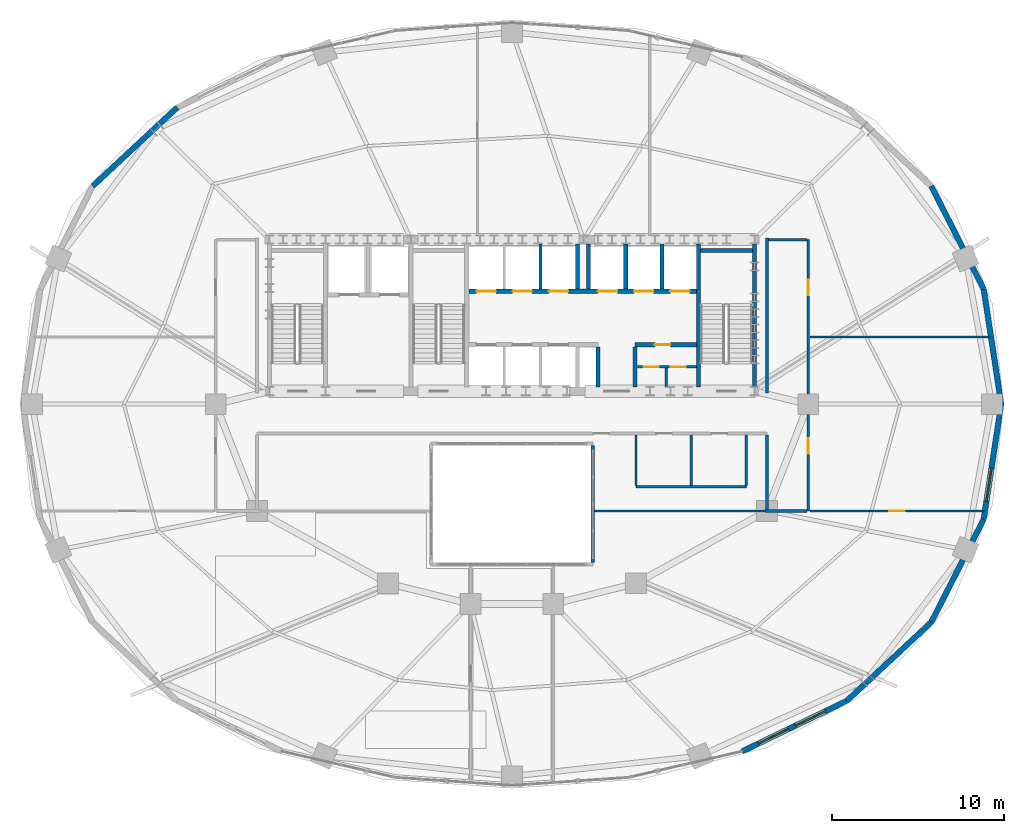
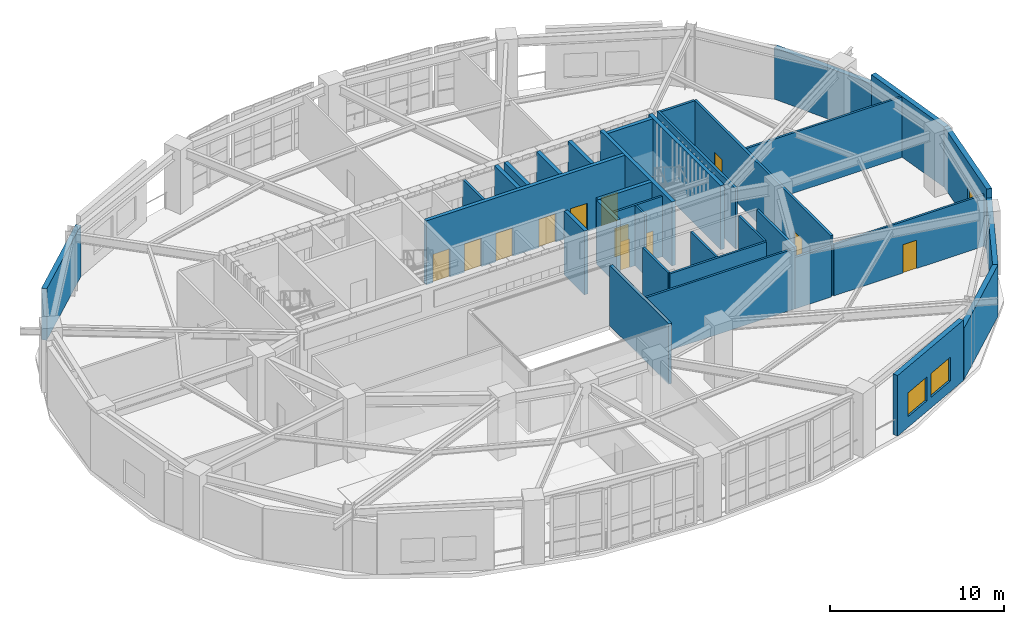
# One storey, part 11 of 15: 34 walls, 12 doors, 3 windows, 15 openings.
"""IFC4 building model written with IfcOpenShell, lengths in metres."""

from ifc_helpers import new_model, si_unit, direction, frame, frame_2d, origin, place, context, subcontext, project, spatial, rectangle, extrude, material, layer, layer_set, type_object, element, fill, save


model = new_model("IFC4")

# Units and contexts
model_context = context("Model", 3, precision=1e-05, world=origin(), true_north=direction((0.0, 1.0)))
body_context = subcontext(model_context, "Body", "Model", "MODEL_VIEW")
ifc_project = project(units=[si_unit("LENGTHUNIT", "METRE"), si_unit("AREAUNIT", "SQUARE_METRE"), si_unit("VOLUMEUNIT", "CUBIC_METRE"), si_unit("PLANEANGLEUNIT", "RADIAN"), si_unit("MASSUNIT", "GRAM", prefix="KILO")], contexts=[model_context])

# Site, building, storey
site_placement = place(None, origin())
site = spatial("IfcSite", under=ifc_project, at=site_placement, CompositionType="ELEMENT")
building_placement = place(site_placement, origin())
building = spatial("IfcBuilding", under=site, at=building_placement, Name="Haldorwick Loom Tower", CompositionType="ELEMENT")
storey_placement = place(building_placement, frame((0.0, 0.0, 105.949951171875)))
storey = spatial("IfcBuildingStorey", under=building, at=storey_placement, Name="L28", CompositionType="ELEMENT", Elevation=105.949951171875)

# Walls
ifc_material_1 = material(Name="Pressed Clay Face Brick and Insulated Masonry Backup Assembly", Category="masonry")
ifc_layer_1 = layer(ifc_material_1, 0.320068359375, Name="Pressed Clay Face Brick and Insulated Masonry Backup Assembly", Category="masonry")
ifc_layer_set_1 = layer_set([ifc_layer_1], Name="Pressed Clay Face Brick and Insulated Masonry Backup Assembly")
wall_type_1 = type_object("IfcWallType", Name="ARC-WL-EXT320", PredefinedType="STANDARD", material=ifc_layer_set_1)
wall_1_placement = place(storey_placement, frame((64.397705078125, 26.0, 0.0), z_axis=(0.0, 0.0, 1.0), x_axis=(-0.150633288003, 0.988589708901, 0.0)))
element("IfcWall", 1, at=wall_1_placement, inside=storey, type_object=wall_type_1, Name="L28 Brick Pier and Spandrel Wall 1", PredefinedType="STANDARD", context=body_context, shape_type="SweptSolid", body=[
    extrude(rectangle(XDim=6.752197265625, YDim=0.320068359375, at=frame_2d((3.3759765625, 0.0))), origin(), (0.0, 0.0, 1.0), 4.260009765625),
])
wall_2_placement = place(storey_placement, frame((63.380615234375, 32.675048828125, 0.0), z_axis=(0.0, 0.0, 1.0), x_axis=(-0.453374078001, 0.89132033826, 0.0)))
element("IfcWall", 2, at=wall_2_placement, inside=storey, type_object=wall_type_1, Name="L28 Brick Pier and Spandrel Wall 2", PredefinedType="STANDARD", context=body_context, shape_type="SweptSolid", body=[
    extrude(rectangle(XDim=6.709716796875, YDim=0.320068359375, at=frame_2d((3.35498046875, 0.0))), origin(), (0.0, 0.0, 1.0), 3.619140625),
])
wall_3_placement = place(storey_placement, frame((16.573486328125, 43.2255859375, 0.0), z_axis=(0.0, 0.0, 1.0), x_axis=(-0.732137360086, -0.681157020052, 0.0)))
element("IfcWall", 3, at=wall_3_placement, inside=storey, type_object=wall_type_1, Name="L28 Brick Pier and Spandrel Wall 10", PredefinedType="STANDARD", context=body_context, shape_type="SweptSolid", body=[
    extrude(rectangle(XDim=6.709228515625, YDim=0.320068359375, at=frame_2d((3.3544921875, 0.0))), origin(), (0.0, 0.0, 1.0), 3.619140625),
])

# Wall, openings, windows
wall_4_placement = place(storey_placement, frame((49.352783203125, 5.841552734375, 0.0), z_axis=(0.0, 0.0, 1.0), x_axis=(0.900510094661, 0.434835106004, 0.0)))
wall_4 = element("IfcWall", 4, at=wall_4_placement, inside=storey, type_object=wall_type_1, Name="L28 Brick Pier and Spandrel Wall 21", PredefinedType="STANDARD", context=body_context, shape_type="SweptSolid", body=[
    extrude(rectangle(XDim=6.744873046875, YDim=0.320068359375, at=frame_2d((3.37255859375, 0.0))), origin(), (0.0, 0.0, 1.0), 4.260009765625),
])
opening_1_placement = place(wall_4_placement, frame((1.04833984375, 0.0, 0.75)))
opening_1 = element("IfcOpeningElement", 5, at=opening_1_placement, cuts=wall_4, Name="Opening W-04B", PredefinedType="OPENING", context=body_context, shape_type="SweptSolid", body=[
    extrude(rectangle(XDim=1.949951171875, YDim=1.679931640625, at=frame_2d((0.97509765625, 0.83984375))), frame((0.0, 0.169921875, 0.0), z_axis=(0.0, -1.0, 0.0), x_axis=(1.0, 0.0, 0.0)), (0.0, 0.0, 1.0), 0.340087890625),
])
opening_2_placement = place(wall_4_placement, frame((3.44091796875, 0.0, 0.75)))
opening_2 = element("IfcOpeningElement", 6, at=opening_2_placement, cuts=wall_4, Name="Opening W-04B", PredefinedType="OPENING", context=body_context, shape_type="SweptSolid", body=[
    extrude(rectangle(XDim=1.949951171875, YDim=1.679931640625, at=frame_2d((0.97509765625, 0.83984375))), frame((0.0, 0.169921875, 0.0), z_axis=(0.0, -1.0, 0.0), x_axis=(1.0, 0.0, 0.0)), (0.0, 0.0, 1.0), 0.340087890625),
])
ifc_material_2 = material(Name="Triple-Glazed Low-E Argon Insulated Glazing Unit", Category="glass")
window_type = type_object("IfcWindowType", Name="ARC-WIN-W195", PartitioningType="SINGLE_PANEL", PredefinedType="WINDOW", material=ifc_material_2)
window_1_placement = place(opening_1_placement, origin())
window_1 = element("IfcWindow", 7, at=window_1_placement, inside=storey, type_object=window_type, Name="L28 Deep-Set Zone 7A Window 21", OverallHeight=1.679931640625, OverallWidth=1.949951171875, PartitioningType="SINGLE_PANEL", PredefinedType="WINDOW", context=body_context, shape_type="SweptSolid", body=[
    extrude(rectangle(XDim=1.949951171875, YDim=1.679931640625, at=frame_2d((0.97509765625, 0.83984375))), frame((0.0, 0.030029296875, 0.0), z_axis=(0.0, -1.0, 0.0), x_axis=(1.0, 0.0, 0.0)), (0.0, 0.0, 1.0), 0.06005859375),
])
fill(opening_1, window_1)
window_2_placement = place(opening_2_placement, origin())
window_2 = element("IfcWindow", 8, at=window_2_placement, inside=storey, type_object=window_type, Name="L28 Deep-Set Zone 7A Window 21", OverallHeight=1.679931640625, OverallWidth=1.949951171875, PartitioningType="SINGLE_PANEL", PredefinedType="WINDOW", context=body_context, shape_type="SweptSolid", body=[
    extrude(rectangle(XDim=1.949951171875, YDim=1.679931640625, at=frame_2d((0.97509765625, 0.83984375))), frame((0.0, 0.030029296875, 0.0), z_axis=(0.0, -1.0, 0.0), x_axis=(1.0, 0.0, 0.0)), (0.0, 0.0, 1.0), 0.06005859375),
])
fill(opening_2, window_2)

# Walls
wall_5_placement = place(storey_placement, frame((55.426513671875, 8.7744140625, 0.0), z_axis=(0.0, 0.0, 1.0), x_axis=(0.732137360086, 0.681157020052, 0.0)))
element("IfcWall", 9, at=wall_5_placement, inside=storey, type_object=wall_type_1, Name="L28 Brick Pier and Spandrel Wall 22", PredefinedType="STANDARD", context=body_context, shape_type="SweptSolid", body=[
    extrude(rectangle(XDim=6.709228515625, YDim=0.320068359375, at=frame_2d((3.3544921875, 0.0))), origin(), (0.0, 0.0, 1.0), 3.619140625),
])
wall_6_placement = place(storey_placement, frame((60.338623046875, 13.344482421875, 0.0), z_axis=(0.0, 0.0, 1.0), x_axis=(0.453374078001, 0.89132033826, 0.0)))
element("IfcWall", 10, at=wall_6_placement, inside=storey, type_object=wall_type_1, Name="L28 Brick Pier and Spandrel Wall 23", PredefinedType="STANDARD", context=body_context, shape_type="SweptSolid", body=[
    extrude(rectangle(XDim=6.709716796875, YDim=0.320068359375, at=frame_2d((3.35498046875, 0.0))), origin(), (0.0, 0.0, 1.0), 3.619140625),
])

# Wall, opening, window
wall_7_placement = place(storey_placement, frame((63.380615234375, 19.324951171875, 0.0), z_axis=(0.0, 0.0, 1.0), x_axis=(0.150633288003, 0.988589708901, 0.0)))
wall_7 = element("IfcWall", 11, at=wall_7_placement, inside=storey, type_object=wall_type_1, Name="L28 Brick Pier and Spandrel Wall 24", PredefinedType="STANDARD", context=body_context, shape_type="SweptSolid", body=[
    extrude(rectangle(XDim=6.752197265625, YDim=0.320068359375, at=frame_2d((3.3759765625, 0.0))), origin(), (0.0, 0.0, 1.0), 4.260009765625),
])
opening_3_placement = place(wall_7_placement, frame((1.050537109375, 0.0, 0.75)))
opening_3 = element("IfcOpeningElement", 12, at=opening_3_placement, cuts=wall_7, Name="Opening W-04B", PredefinedType="OPENING", context=body_context, shape_type="SweptSolid", body=[
    extrude(rectangle(XDim=1.949951171875, YDim=1.679931640625, at=frame_2d((0.97509765625, 0.83984375))), frame((0.0, 0.169921875, 0.0), z_axis=(0.0, -1.0, 0.0), x_axis=(1.0, 0.0, 0.0)), (0.0, 0.0, 1.0), 0.340087890625),
])
window_3_placement = place(opening_3_placement, origin())
window_3 = element("IfcWindow", 13, at=window_3_placement, inside=storey, type_object=window_type, Name="L28 Deep-Set Zone 7A Window 24", OverallHeight=1.679931640625, OverallWidth=1.949951171875, PartitioningType="SINGLE_PANEL", PredefinedType="WINDOW", context=body_context, shape_type="SweptSolid", body=[
    extrude(rectangle(XDim=1.949951171875, YDim=1.679931640625, at=frame_2d((0.97509765625, 0.83984375))), frame((0.0, 0.030029296875, 0.0), z_axis=(0.0, -1.0, 0.0), x_axis=(1.0, 0.0, 0.0)), (0.0, 0.0, 1.0), 0.06005859375),
])
fill(opening_3, window_3)

# Wall, openings, doors
ifc_material_3 = material(Name="Fire-Rated Type X Gypsum Stud Assembly EI 60")
ifc_layer_2 = layer(ifc_material_3, 0.159912109375, Name="Fire-Rated Type X Gypsum Stud Assembly EI 60")
ifc_layer_set_2 = layer_set([ifc_layer_2], Name="Fire-Rated Type X Gypsum Stud Assembly EI 60")
wall_type_2 = type_object("IfcWallType", Name="ARC-WL-FIRE160", PredefinedType="PARTITIONING", material=ifc_layer_set_2)
wall_8_placement = place(storey_placement, frame((53.199951171875, 19.800048828125, 0.0), z_axis=(0.0, 0.0, 1.0), x_axis=(0.0, 1.0, 0.0)))
wall_8 = element("IfcWall", 14, at=wall_8_placement, inside=storey, type_object=wall_type_2, Name="L28 Interior Partition L28-CE0", PredefinedType="PARTITIONING", context=body_context, shape_type="SweptSolid", body=[
    extrude(rectangle(XDim=15.75, YDim=0.159912109375, at=frame_2d((7.875, 0.0))), origin(), (0.0, 0.0, 1.0), 4.2451171875),
])
opening_4_placement = place(wall_8_placement, frame((3.333984375, 0.0, 0.0)))
opening_4 = element("IfcOpeningElement", 15, at=opening_4_placement, cuts=wall_8, Name="Opening D-FD60A", PredefinedType="OPENING", context=body_context, shape_type="SweptSolid", body=[
    extrude(rectangle(XDim=0.89990234375, YDim=2.0, at=frame_2d((0.449951171875, 1.0))), frame((0.0, 0.08984375, 0.0), z_axis=(0.0, -1.0, 0.0), x_axis=(1.0, 0.0, 0.0)), (0.0, 0.0, 1.0), 0.179931640625),
])
opening_5_placement = place(wall_8_placement, frame((12.527099609375, 0.0, 0.0)))
opening_5 = element("IfcOpeningElement", 16, at=opening_5_placement, cuts=wall_8, Name="Opening D-FD60A", PredefinedType="OPENING", context=body_context, shape_type="SweptSolid", body=[
    extrude(rectangle(XDim=0.89990234375, YDim=2.0, at=frame_2d((0.449951171875, 1.0))), frame((0.0, 0.08984375, 0.0), z_axis=(0.0, -1.0, 0.0), x_axis=(1.0, 0.0, 0.0)), (0.0, 0.0, 1.0), 0.179931640625),
])
ifc_material_4 = material(Name="Hollow Steel Fire Door Assembly", Category="steel")
door_type_1 = type_object("IfcDoorType", Name="ARC-DR-FD60-90", OperationType="NOTDEFINED", PredefinedType="DOOR", material=ifc_material_4)
door_1_placement = place(opening_4_placement, origin())
door_1 = element("IfcDoor", 17, at=door_1_placement, inside=storey, type_object=door_type_1, Name="L28 L28 Central Transfer Corridor to Co-Working Open Office 8 Door", OperationType="SINGLE_SWING_RIGHT", OverallHeight=2.0, OverallWidth=0.89990234375, PredefinedType="DOOR", context=body_context, shape_type="SweptSolid", body=[
    extrude(rectangle(XDim=0.89990234375, YDim=2.0, at=frame_2d((0.449951171875, 1.0))), frame((0.0, 0.02490234375, 0.0), z_axis=(0.0, -1.0, 0.0), x_axis=(1.0, 0.0, 0.0)), (0.0, 0.0, 1.0), 0.050048828125),
])
fill(opening_4, door_1)
door_2_placement = place(opening_5_placement, origin())
door_2 = element("IfcDoor", 18, at=door_2_placement, inside=storey, type_object=door_type_1, Name="L28 L28 Central Transfer Corridor to Tenant Board Room 10 Door", OperationType="SINGLE_SWING_RIGHT", OverallHeight=2.0, OverallWidth=0.89990234375, PredefinedType="DOOR", context=body_context, shape_type="SweptSolid", body=[
    extrude(rectangle(XDim=0.89990234375, YDim=2.0, at=frame_2d((0.449951171875, 1.0))), frame((0.0, 0.02490234375, 0.0), z_axis=(0.0, -1.0, 0.0), x_axis=(1.0, 0.0, 0.0)), (0.0, 0.0, 1.0), 0.050048828125),
])
fill(opening_5, door_2)

# Walls
wall_9_placement = place(storey_placement, frame((50.679931640625, 19.800048828125, 0.0), z_axis=(0.0, 0.0, 1.0), x_axis=(1.0, 0.0, 0.0)))
element("IfcWall", 19, at=wall_9_placement, inside=storey, type_object=wall_type_2, Name="L28 Interior Partition L28-CES", PredefinedType="PARTITIONING", context=body_context, shape_type="SweptSolid", body=[
    extrude(rectangle(XDim=2.43701171875, YDim=0.159912109375, at=frame_2d((1.218505859375, 0.0))), origin(), (0.0, 0.0, 1.0), 3.6181640625),
])
wall_10_placement = place(storey_placement, frame((50.800048828125, 19.883056640625, 0.0), z_axis=(0.0, 0.0, 1.0), x_axis=(0.0, 1.0, 0.0)))
element("IfcWall", 20, at=wall_10_placement, inside=storey, type_object=wall_type_2, Name="L28 Interior Partition L28-CE1", PredefinedType="PARTITIONING", context=body_context, shape_type="SweptSolid", body=[
    extrude(rectangle(XDim=4.333984375, YDim=0.159912109375, at=frame_2d((2.1669921875, 0.0))), origin(), (0.0, 0.0, 1.0), 4.2451171875),
])
wall_11_placement = place(storey_placement, frame((50.800048828125, 26.64990234375, 0.0), z_axis=(0.0, 0.0, 1.0), x_axis=(0.0, 1.0, 0.0)))
element("IfcWall", 21, at=wall_11_placement, inside=storey, type_object=wall_type_2, Name="L28 Interior Partition L28-CE2", PredefinedType="PARTITIONING", context=body_context, shape_type="SweptSolid", body=[
    extrude(rectangle(XDim=9.0, YDim=0.159912109375, at=frame_2d((4.5, 0.0))), origin(), (0.0, 0.0, 1.0), 4.2451171875),
])
wall_12_placement = place(storey_placement, frame((50.883056640625, 35.550048828125, 0.0), z_axis=(0.0, 0.0, 1.0), x_axis=(1.0, 0.0, 0.0)))
element("IfcWall", 22, at=wall_12_placement, inside=storey, type_object=wall_type_2, Name="L28 Interior Partition L28-CEN", PredefinedType="PARTITIONING", context=body_context, shape_type="SweptSolid", body=[
    extrude(rectangle(XDim=2.23388671875, YDim=0.159912109375, at=frame_2d((1.116943359375, 0.0))), origin(), (0.0, 0.0, 1.0), 4.2451171875),
])
ifc_material_5 = material(Name="Fire-Rated Type X Gypsum Stud Assembly EI 120")
ifc_layer_3 = layer(ifc_material_5, 0.199951171875, Name="Fire-Rated Type X Gypsum Stud Assembly EI 120")
ifc_layer_set_3 = layer_set([ifc_layer_3], Name="Fire-Rated Type X Gypsum Stud Assembly EI 120")
wall_type_3 = type_object("IfcWallType", Name="ARC-WL-FIRE200", PredefinedType="PARTITIONING", material=ifc_layer_set_3)
wall_13_placement = place(storey_placement, frame((40.699951171875, 23.596923828125, 0.0), z_axis=(0.0, 0.0, 1.0), x_axis=(0.0, -1.0, 0.0)))
element("IfcWall", 23, at=wall_13_placement, inside=storey, type_object=wall_type_3, Name="L28 Atrium Fire Wall", PredefinedType="PARTITIONING", context=body_context, shape_type="SweptSolid", body=[
    extrude(rectangle(XDim=6.7939453125, YDim=0.199951171875, at=frame_2d((3.39697265625, 0.0))), origin(), (0.0, 0.0, 1.0), 4.2451171875),
])

# Wall, openings, doors
ifc_layer_4 = layer(ifc_material_3, 0.139892578125, Name="Fire-Rated Type X Gypsum Stud Assembly EI 60")
ifc_layer_set_4 = layer_set([ifc_layer_4], Name="Fire-Rated Type X Gypsum Stud Assembly EI 60")
wall_type_4 = type_object("IfcWallType", Name="ARC-WL-PART140", PredefinedType="PARTITIONING", material=ifc_layer_set_4)
wall_14_placement = place(storey_placement, frame((43.27294921875, 28.159912109375, 0.0), z_axis=(0.0, 0.0, 1.0), x_axis=(1.0, 0.0, 0.0)))
wall_14 = element("IfcWall", 24, at=wall_14_placement, inside=storey, type_object=wall_type_4, Name="L28 Telecom Partition", PredefinedType="PARTITIONING", context=body_context, shape_type="SweptSolid", body=[
    extrude(rectangle(XDim=3.43408203125, YDim=0.139892578125, at=frame_2d((1.717041015625, 0.0))), origin(), (0.0, 0.0, 1.0), 4.2451171875),
])
opening_6_placement = place(wall_14_placement, frame((0.366943359375, 0.0, 0.0)))
opening_6 = element("IfcOpeningElement", 25, at=opening_6_placement, cuts=wall_14, Name="Opening D-BT88", PredefinedType="OPENING", context=body_context, shape_type="SweptSolid", body=[
    extrude(rectangle(XDim=0.8798828125, YDim=2.02001953125, at=frame_2d((0.43994140625, 1.010009765625))), frame((0.0, 0.079833984375, 0.0), z_axis=(0.0, -1.0, 0.0), x_axis=(1.0, 0.0, 0.0)), (0.0, 0.0, 1.0), 0.159912109375),
])
opening_7_placement = place(wall_14_placement, frame((1.93701171875, 0.0, 0.0)))
opening_7 = element("IfcOpeningElement", 26, at=opening_7_placement, cuts=wall_14, Name="Opening D-BT88", PredefinedType="OPENING", context=body_context, shape_type="SweptSolid", body=[
    extrude(rectangle(XDim=0.8798828125, YDim=2.02001953125, at=frame_2d((0.43994140625, 1.010009765625))), frame((0.0, 0.079833984375, 0.0), z_axis=(0.0, -1.0, 0.0), x_axis=(1.0, 0.0, 0.0)), (0.0, 0.0, 1.0), 0.159912109375),
])
ifc_material_6 = material(Name="Solid Core Birch Architectural Door")
door_type_2 = type_object("IfcDoorType", Name="ARC-DR-BATH88", OperationType="NOTDEFINED", PredefinedType="DOOR", material=ifc_material_6)
door_3_placement = place(opening_6_placement, origin())
door_3 = element("IfcDoor", 27, at=door_3_placement, inside=storey, type_object=door_type_2, Name="L28 Telecom Room Door", OperationType="SINGLE_SWING_LEFT", OverallHeight=2.02001953125, OverallWidth=0.8798828125, PredefinedType="DOOR", context=body_context, shape_type="SweptSolid", body=[
    extrude(rectangle(XDim=0.8798828125, YDim=2.02001953125, at=frame_2d((0.43994140625, 1.010009765625))), frame((0.0, 0.02490234375, 0.0), z_axis=(0.0, -1.0, 0.0), x_axis=(1.0, 0.0, 0.0)), (0.0, 0.0, 1.0), 0.050048828125),
])
fill(opening_6, door_3)
door_4_placement = place(opening_7_placement, origin())
door_4 = element("IfcDoor", 28, at=door_4_placement, inside=storey, type_object=door_type_2, Name="L28 Metering Closet Door", OperationType="SINGLE_SWING_RIGHT", OverallHeight=2.02001953125, OverallWidth=0.8798828125, PredefinedType="DOOR", context=body_context, shape_type="SweptSolid", body=[
    extrude(rectangle(XDim=0.8798828125, YDim=2.02001953125, at=frame_2d((0.43994140625, 1.010009765625))), frame((0.0, 0.02490234375, 0.0), z_axis=(0.0, -1.0, 0.0), x_axis=(1.0, 0.0, 0.0)), (0.0, 0.0, 1.0), 0.050048828125),
])
fill(opening_7, door_4)

# Walls
wall_15_placement = place(storey_placement, frame((44.949951171875, 27.0029296875, 0.0), z_axis=(0.0, 0.0, 1.0), x_axis=(0.0, 1.0, 0.0)))
element("IfcWall", 29, at=wall_15_placement, inside=storey, type_object=wall_type_4, Name="L28 Metering Sub-Partition", PredefinedType="PARTITIONING", context=body_context, shape_type="SweptSolid", body=[
    extrude(rectangle(XDim=1.083984375, YDim=0.139892578125, at=frame_2d((0.5419921875, 0.0))), origin(), (0.0, 0.0, 1.0), 4.2451171875),
])
wall_16_placement = place(storey_placement, frame((43.199951171875, 21.199951171875, 0.0), z_axis=(0.0, 0.0, 1.0), x_axis=(1.0, 0.0, 0.0)))
element("IfcWall", 30, at=wall_16_placement, inside=storey, type_object=wall_type_4, Name="L28 Interior Partition L28-WC1", PredefinedType="PARTITIONING", context=body_context, shape_type="SweptSolid", body=[
    extrude(rectangle(XDim=6.400146484375, YDim=0.139892578125, at=frame_2d((3.2001953125, 0.0))), origin(), (0.0, 0.0, 1.0), 4.2451171875),
])
for number, where, z_axis, x_axis, name in (
    (31, (46.39990234375, 21.27294921875, 0.0), (0.0, 0.0, 1.0), (0.0, 1.0, 0.0), "L28 Interior Partition L28-WC2"),
    (32, (43.199951171875, 21.27294921875, 0.0), (0.0, 0.0, 1.0), (0.0, 1.0, 0.0), "L28 Interior Partition L28-WC3"),
    (33, (49.60009765625, 21.27294921875, 0.0), (0.0, 0.0, 1.0), (0.0, 1.0, 0.0), "L28 Interior Partition L28-WC4"),
):
    element("IfcWall", number, at=place(storey_placement, frame(where, z_axis=z_axis, x_axis=x_axis)), inside=storey, type_object=wall_type_4, Name=name, PredefinedType="PARTITIONING", context=body_context, shape_type="SweptSolid", body=[
        extrude(rectangle(XDim=2.944091796875, YDim=0.139892578125, at=frame_2d((1.47216796875, 0.0))), origin(), (0.0, 0.0, 1.0), 4.2451171875),
    ])
wall_17_placement = place(storey_placement, frame((40.802978515625, 19.800048828125, 0.0), z_axis=(0.0, 0.0, 1.0), x_axis=(1.0, 0.0, 0.0)))
element("IfcWall", 34, at=wall_17_placement, inside=storey, type_object=wall_type_4, Name="L28 Interior Partition L28-EL-S", PredefinedType="PARTITIONING", context=body_context, shape_type="SweptSolid", body=[
    extrude(rectangle(XDim=9.876953125, YDim=0.139892578125, at=frame_2d((4.9384765625, 0.0))), origin(), (0.0, 0.0, 1.0), 4.2451171875),
])

# Wall, opening, door
wall_18_placement = place(storey_placement, frame((53.282958984375, 19.800048828125, 0.0), z_axis=(0.0, 0.0, 1.0), x_axis=(1.0, 0.0, 0.0)))
wall_18 = element("IfcWall", 35, at=wall_18_placement, inside=storey, type_object=wall_type_4, Name="L28 Interior Partition L28-EL-S", PredefinedType="PARTITIONING", context=body_context, shape_type="SweptSolid", body=[
    extrude(rectangle(XDim=10.104248046875, YDim=0.139892578125, at=frame_2d((5.05224609375, 0.0))), origin(), (0.0, 0.0, 1.0), 3.6181640625),
])
opening_8_placement = place(wall_18_placement, frame((4.612060546875, 0.0, 0.0)))
opening_8 = element("IfcOpeningElement", 36, at=opening_8_placement, cuts=wall_18, Name="Opening D-FD60A", PredefinedType="OPENING", context=body_context, shape_type="SweptSolid", body=[
    extrude(rectangle(XDim=0.89990234375, YDim=2.0, at=frame_2d((0.449951171875, 1.0))), frame((0.0, 0.079833984375, 0.0), z_axis=(0.0, -1.0, 0.0), x_axis=(1.0, 0.0, 0.0)), (0.0, 0.0, 1.0), 0.159912109375),
])
door_5_placement = place(opening_8_placement, origin())
door_5 = element("IfcDoor", 37, at=door_5_placement, inside=storey, type_object=door_type_1, Name="L28 Co-Working Open Office 8 to Co-Working Open Office 3 Door", OperationType="SINGLE_SWING_RIGHT", OverallHeight=2.0, OverallWidth=0.89990234375, PredefinedType="DOOR", context=body_context, shape_type="SweptSolid", body=[
    extrude(rectangle(XDim=0.89990234375, YDim=2.0, at=frame_2d((0.449951171875, 1.0))), frame((0.0, 0.02490234375, 0.0), z_axis=(0.0, -1.0, 0.0), x_axis=(1.0, 0.0, 0.0)), (0.0, 0.0, 1.0), 0.050048828125),
])
fill(opening_8, door_5)

# Walls
wall_19_placement = place(storey_placement, frame((53.282958984375, 29.89990234375, 0.0), z_axis=(0.0, 0.0, 1.0), x_axis=(1.0, 0.0, 0.0)))
element("IfcWall", 38, at=wall_19_placement, inside=storey, type_object=wall_type_4, Name="L28 Interior Partition L28-EL-N", PredefinedType="PARTITIONING", context=body_context, shape_type="SweptSolid", body=[
    extrude(rectangle(XDim=10.45458984375, YDim=0.139892578125, at=frame_2d((5.227294921875, 0.0))), origin(), (0.0, 0.0, 1.0), 4.2451171875),
])
ifc_layer_5 = layer(ifc_material_5, 0.1650390625, Name="Fire-Rated Type X Gypsum Stud Assembly EI 120")
ifc_layer_set_5 = layer_set([ifc_layer_5], Name="Fire-Rated Type X Gypsum Stud Assembly EI 120")
wall_type_5 = type_object("IfcWallType", Name="ARC-WL-SHAFT160", PredefinedType="MOVABLE", material=ifc_layer_set_5)
wall_20_placement = place(storey_placement, frame((37.64990234375, 32.673095703125, 0.0), z_axis=(0.0, 0.0, 1.0), x_axis=(0.0, 1.0, 0.0)))
element("IfcWall", 39, at=wall_20_placement, inside=storey, type_object=wall_type_5, Name="L28 Low-Rise Hoistway Divider 2", PredefinedType="MOVABLE", context=body_context, shape_type="SweptSolid", body=[
    extrude(rectangle(XDim=2.6240234375, YDim=0.159912109375, at=frame_2d((1.31201171875, 0.0))), origin(), (0.0, 0.0, 1.0), 4.2451171875),
])
ifc_material_7 = material(Name="Concrete C50 (50 MPa)", Category="concrete")
ifc_layer_6 = layer(ifc_material_7, 0.239990234375, Name="Concrete C50 (50 MPa)", Category="concrete")
ifc_layer_set_6 = layer_set([ifc_layer_6], Name="Concrete C50 (50 MPa)")
wall_type_6 = type_object("IfcWallType", Name="STR-WL-SHAFT240", PredefinedType="SHEAR", material=ifc_layer_set_6)
for number, where, z_axis, x_axis, name in (
    (40, (50.070068359375, 27.0029296875, 0.0), (0.0, 0.0, 1.0), (0.0, 1.0, 0.0), "L28 Core Shear Wall E"),
    (41, (46.830078125, 27.0029296875, 0.0), (0.0, 0.0, 1.0), (0.0, 1.0, 0.0), "L28 Core Shear Wall 4"),
):
    element("IfcWall", number, at=place(storey_placement, frame(where, z_axis=z_axis, x_axis=x_axis)), inside=storey, type_object=wall_type_6, Name=name, PredefinedType="SHEAR", context=body_context, shape_type="SweptSolid", body=[
        extrude(rectangle(XDim=8.294189453125, YDim=0.239990234375, at=frame_2d((4.14697265625, 0.0))), origin(), (0.0, 0.0, 1.0), 4.5),
    ])
wall_21_placement = place(storey_placement, frame((46.952880859375, 34.919921875, 0.0), z_axis=(0.0, 0.0, 1.0), x_axis=(1.0, 0.0, 0.0)))
element("IfcWall", 42, at=wall_21_placement, inside=storey, type_object=wall_type_6, Name="L28 Core Shear Wall 4N", PredefinedType="SHEAR", context=body_context, shape_type="SweptSolid", body=[
    extrude(rectangle(XDim=2.994140625, YDim=0.239990234375, at=frame_2d((1.4970703125, 0.0))), origin(), (0.0, 0.0, 1.0), 4.5),
])

# Wall, openings, doors
wall_22_placement = place(storey_placement, frame((33.492919921875, 32.550048828125, 0.0), z_axis=(0.0, 0.0, 1.0), x_axis=(1.0, 0.0, 0.0)))
wall_22 = element("IfcWall", 43, at=wall_22_placement, inside=storey, type_object=wall_type_6, Name="L28 Core Shear Wall LN", PredefinedType="SHEAR", context=body_context, shape_type="SweptSolid", body=[
    extrude(rectangle(XDim=13.214111328125, YDim=0.239990234375, at=frame_2d((6.60693359375, 0.0))), origin(), (0.0, 0.0, 1.0), 4.5),
])
opening_9_placement = place(wall_22_placement, frame((0.447021484375, 0.0, 0.0)))
opening_9 = element("IfcOpeningElement", 44, at=opening_9_placement, cuts=wall_22, Name="Opening LD-L1", PredefinedType="OPENING", context=body_context, shape_type="SweptSolid", body=[
    extrude(rectangle(XDim=1.1201171875, YDim=2.0, at=frame_2d((0.56005859375, 1.0))), frame((0.0, 0.1298828125, 0.0), z_axis=(0.0, -1.0, 0.0), x_axis=(1.0, 0.0, 0.0)), (0.0, 0.0, 1.0), 0.260009765625),
])
opening_10_placement = place(wall_22_placement, frame((2.547119140625, 0.0, 0.0)))
opening_10 = element("IfcOpeningElement", 45, at=opening_10_placement, cuts=wall_22, Name="Opening LD-L2", PredefinedType="OPENING", context=body_context, shape_type="SweptSolid", body=[
    extrude(rectangle(XDim=1.1201171875, YDim=2.0, at=frame_2d((0.56005859375, 1.0))), frame((0.0, 0.1298828125, 0.0), z_axis=(0.0, -1.0, 0.0), x_axis=(1.0, 0.0, 0.0)), (0.0, 0.0, 1.0), 0.260009765625),
])
opening_11_placement = place(wall_22_placement, frame((4.64697265625, 0.0, 0.0)))
opening_11 = element("IfcOpeningElement", 46, at=opening_11_placement, cuts=wall_22, Name="Opening LD-L3", PredefinedType="OPENING", context=body_context, shape_type="SweptSolid", body=[
    extrude(rectangle(XDim=1.1201171875, YDim=2.0, at=frame_2d((0.56005859375, 1.0))), frame((0.0, 0.1298828125, 0.0), z_axis=(0.0, -1.0, 0.0), x_axis=(1.0, 0.0, 0.0)), (0.0, 0.0, 1.0), 0.260009765625),
])
opening_12_placement = place(wall_22_placement, frame((7.4970703125, 0.0, 0.0)))
opening_12 = element("IfcOpeningElement", 47, at=opening_12_placement, cuts=wall_22, Name="Opening LD-H1", PredefinedType="OPENING", context=body_context, shape_type="SweptSolid", body=[
    extrude(rectangle(XDim=1.1201171875, YDim=2.0, at=frame_2d((0.56005859375, 1.0))), frame((0.0, 0.1298828125, 0.0), z_axis=(0.0, -1.0, 0.0), x_axis=(1.0, 0.0, 0.0)), (0.0, 0.0, 1.0), 0.260009765625),
])
opening_13_placement = place(wall_22_placement, frame((9.596923828125, 0.0, 0.0)))
opening_13 = element("IfcOpeningElement", 48, at=opening_13_placement, cuts=wall_22, Name="Opening LD-H2", PredefinedType="OPENING", context=body_context, shape_type="SweptSolid", body=[
    extrude(rectangle(XDim=1.1201171875, YDim=2.0, at=frame_2d((0.56005859375, 1.0))), frame((0.0, 0.1298828125, 0.0), z_axis=(0.0, -1.0, 0.0), x_axis=(1.0, 0.0, 0.0)), (0.0, 0.0, 1.0), 0.260009765625),
])
opening_14_placement = place(wall_22_placement, frame((11.697021484375, 0.0, 0.0)))
opening_14 = element("IfcOpeningElement", 49, at=opening_14_placement, cuts=wall_22, Name="Opening LD-H3", PredefinedType="OPENING", context=body_context, shape_type="SweptSolid", body=[
    extrude(rectangle(XDim=1.1201171875, YDim=2.0, at=frame_2d((0.56005859375, 1.0))), frame((0.0, 0.1298828125, 0.0), z_axis=(0.0, -1.0, 0.0), x_axis=(1.0, 0.0, 0.0)), (0.0, 0.0, 1.0), 0.260009765625),
])
door_type_3 = type_object("IfcDoorType", Name="ARC-DR-LD-PAX", OperationType="NOTDEFINED", PredefinedType="USERDEFINED", material=ifc_material_4)
door_6_placement = place(opening_9_placement, origin())
door_6 = element("IfcDoor", 50, at=door_6_placement, inside=storey, type_object=door_type_3, Name="L28 Lift LF-L1 Sliding Landing Door", ObjectType="LANDING DOOR", OperationType="DOUBLE_DOOR_SLIDING", OverallHeight=2.0, OverallWidth=1.1201171875, PredefinedType="USERDEFINED", context=body_context, shape_type="SweptSolid", body=[
    extrude(rectangle(XDim=1.1201171875, YDim=2.0, at=frame_2d((0.56005859375, 1.0))), frame((0.0, 0.02490234375, 0.0), z_axis=(0.0, -1.0, 0.0), x_axis=(1.0, 0.0, 0.0)), (0.0, 0.0, 1.0), 0.050048828125),
])
fill(opening_9, door_6)
door_7_placement = place(opening_10_placement, origin())
door_7 = element("IfcDoor", 51, at=door_7_placement, inside=storey, type_object=door_type_3, Name="L28 Lift LF-L2 Sliding Landing Door", ObjectType="LANDING DOOR", OperationType="DOUBLE_DOOR_SLIDING", OverallHeight=2.0, OverallWidth=1.1201171875, PredefinedType="USERDEFINED", context=body_context, shape_type="SweptSolid", body=[
    extrude(rectangle(XDim=1.1201171875, YDim=2.0, at=frame_2d((0.56005859375, 1.0))), frame((0.0, 0.02490234375, 0.0), z_axis=(0.0, -1.0, 0.0), x_axis=(1.0, 0.0, 0.0)), (0.0, 0.0, 1.0), 0.050048828125),
])
fill(opening_10, door_7)
door_8_placement = place(opening_11_placement, origin())
door_8 = element("IfcDoor", 52, at=door_8_placement, inside=storey, type_object=door_type_3, Name="L28 Lift LF-L3 Sliding Landing Door", ObjectType="LANDING DOOR", OperationType="DOUBLE_DOOR_SLIDING", OverallHeight=2.0, OverallWidth=1.1201171875, PredefinedType="USERDEFINED", context=body_context, shape_type="SweptSolid", body=[
    extrude(rectangle(XDim=1.1201171875, YDim=2.0, at=frame_2d((0.56005859375, 1.0))), frame((0.0, 0.02490234375, 0.0), z_axis=(0.0, -1.0, 0.0), x_axis=(1.0, 0.0, 0.0)), (0.0, 0.0, 1.0), 0.050048828125),
])
fill(opening_11, door_8)
door_9_placement = place(opening_12_placement, origin())
door_9 = element("IfcDoor", 53, at=door_9_placement, inside=storey, type_object=door_type_3, Name="L28 Lift LF-H1 Sliding Landing Door", ObjectType="LANDING DOOR", OperationType="DOUBLE_DOOR_SLIDING", OverallHeight=2.0, OverallWidth=1.1201171875, PredefinedType="USERDEFINED", context=body_context, shape_type="SweptSolid", body=[
    extrude(rectangle(XDim=1.1201171875, YDim=2.0, at=frame_2d((0.56005859375, 1.0))), frame((0.0, 0.02490234375, 0.0), z_axis=(0.0, -1.0, 0.0), x_axis=(1.0, 0.0, 0.0)), (0.0, 0.0, 1.0), 0.050048828125),
])
fill(opening_12, door_9)
door_10_placement = place(opening_13_placement, origin())
door_10 = element("IfcDoor", 54, at=door_10_placement, inside=storey, type_object=door_type_3, Name="L28 Lift LF-H2 Sliding Landing Door", ObjectType="LANDING DOOR", OperationType="DOUBLE_DOOR_SLIDING", OverallHeight=2.0, OverallWidth=1.1201171875, PredefinedType="USERDEFINED", context=body_context, shape_type="SweptSolid", body=[
    extrude(rectangle(XDim=1.1201171875, YDim=2.0, at=frame_2d((0.56005859375, 1.0))), frame((0.0, 0.02490234375, 0.0), z_axis=(0.0, -1.0, 0.0), x_axis=(1.0, 0.0, 0.0)), (0.0, 0.0, 1.0), 0.050048828125),
])
fill(opening_13, door_10)
door_11_placement = place(opening_14_placement, origin())
door_11 = element("IfcDoor", 55, at=door_11_placement, inside=storey, type_object=door_type_3, Name="L28 Lift LF-H3 Sliding Landing Door", ObjectType="LANDING DOOR", OperationType="DOUBLE_DOOR_SLIDING", OverallHeight=2.0, OverallWidth=1.1201171875, PredefinedType="USERDEFINED", context=body_context, shape_type="SweptSolid", body=[
    extrude(rectangle(XDim=1.1201171875, YDim=2.0, at=frame_2d((0.56005859375, 1.0))), frame((0.0, 0.02490234375, 0.0), z_axis=(0.0, -1.0, 0.0), x_axis=(1.0, 0.0, 0.0)), (0.0, 0.0, 1.0), 0.050048828125),
])
fill(opening_14, door_11)

# Wall, opening, door
wall_23_placement = place(storey_placement, frame((43.14990234375, 29.449951171875, 0.0), z_axis=(0.0, 0.0, 1.0), x_axis=(1.0, 0.0, 0.0)))
wall_23 = element("IfcWall", 56, at=wall_23_placement, inside=storey, type_object=wall_type_6, Name="L28 Core Shear Wall LS2", PredefinedType="SHEAR", context=body_context, shape_type="SweptSolid", body=[
    extrude(rectangle(XDim=3.55712890625, YDim=0.239990234375, at=frame_2d((1.778564453125, 0.0))), origin(), (0.0, 0.0, 1.0), 4.5),
])
opening_15_placement = place(wall_23_placement, frame((1.14990234375, 0.0, 0.0)))
opening_15 = element("IfcOpeningElement", 57, at=opening_15_placement, cuts=wall_23, Name="Opening D-FD60A", PredefinedType="OPENING", context=body_context, shape_type="SweptSolid", body=[
    extrude(rectangle(XDim=0.89990234375, YDim=2.0, at=frame_2d((0.449951171875, 1.0))), frame((0.0, 0.1298828125, 0.0), z_axis=(0.0, -1.0, 0.0), x_axis=(1.0, 0.0, 0.0)), (0.0, 0.0, 1.0), 0.260009765625),
])
door_12_placement = place(opening_15_placement, origin())
door_12 = element("IfcDoor", 58, at=door_12_placement, inside=storey, type_object=door_type_1, Name="L28 Janitor Closet Door", OperationType="SINGLE_SWING_LEFT", OverallHeight=2.0, OverallWidth=0.89990234375, PredefinedType="DOOR", context=body_context, shape_type="SweptSolid", body=[
    extrude(rectangle(XDim=0.89990234375, YDim=2.0, at=frame_2d((0.449951171875, 1.0))), frame((0.0, 0.02490234375, 0.0), z_axis=(0.0, -1.0, 0.0), x_axis=(1.0, 0.0, 0.0)), (0.0, 0.0, 1.0), 0.050048828125),
])
fill(opening_15, door_12)

# Walls
for number, where, z_axis, x_axis, name in (
    (59, (41.0, 27.0029296875, 0.0), (0.0, 0.0, 1.0), (0.0, 1.0, 0.0), "L28 Core Shear Wall THW"),
    (60, (43.14990234375, 27.0029296875, 0.0), (0.0, 0.0, 1.0), (0.0, 1.0, 0.0), "L28 Core Shear Wall THE"),
):
    element("IfcWall", number, at=place(storey_placement, frame(where, z_axis=z_axis, x_axis=x_axis)), inside=storey, type_object=wall_type_6, Name=name, PredefinedType="SHEAR", context=body_context, shape_type="SweptSolid", body=[
        extrude(rectangle(XDim=2.323974609375, YDim=0.239990234375, at=frame_2d((1.162109375, 0.0))), origin(), (0.0, 0.0, 1.0), 4.5),
    ])
for number, where, z_axis, x_axis, name in (
    (61, (39.800048828125, 32.673095703125, 0.0), (0.0, 0.0, 1.0), (0.0, 1.0, 0.0), "L28 Core Shear Wall LHW"),
    (62, (40.449951171875, 32.673095703125, 0.0), (0.0, 0.0, 1.0), (0.0, 1.0, 0.0), "L28 Core Shear Wall H0"),
    (63, (42.60009765625, 32.673095703125, 0.0), (0.0, 0.0, 1.0), (0.0, 1.0, 0.0), "L28 Core Shear Wall H1"),
    (64, (44.699951171875, 32.673095703125, 0.0), (0.0, 0.0, 1.0), (0.0, 1.0, 0.0), "L28 Core Shear Wall H2"),
):
    element("IfcWall", number, at=place(storey_placement, frame(where, z_axis=z_axis, x_axis=x_axis)), inside=storey, type_object=wall_type_6, Name=name, PredefinedType="SHEAR", context=body_context, shape_type="SweptSolid", body=[
        extrude(rectangle(XDim=2.6240234375, YDim=0.239990234375, at=frame_2d((1.31201171875, 0.0))), origin(), (0.0, 0.0, 1.0), 4.5),
    ])

save(model, "model.ifc")
